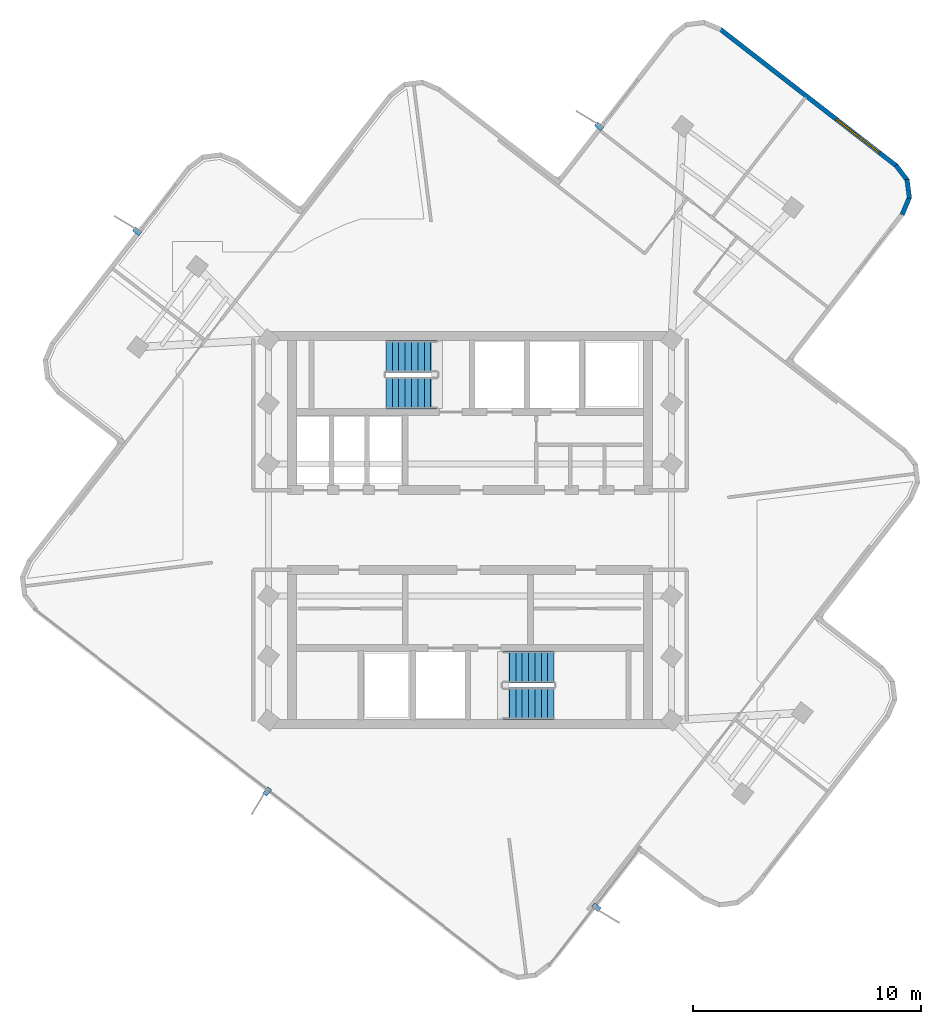
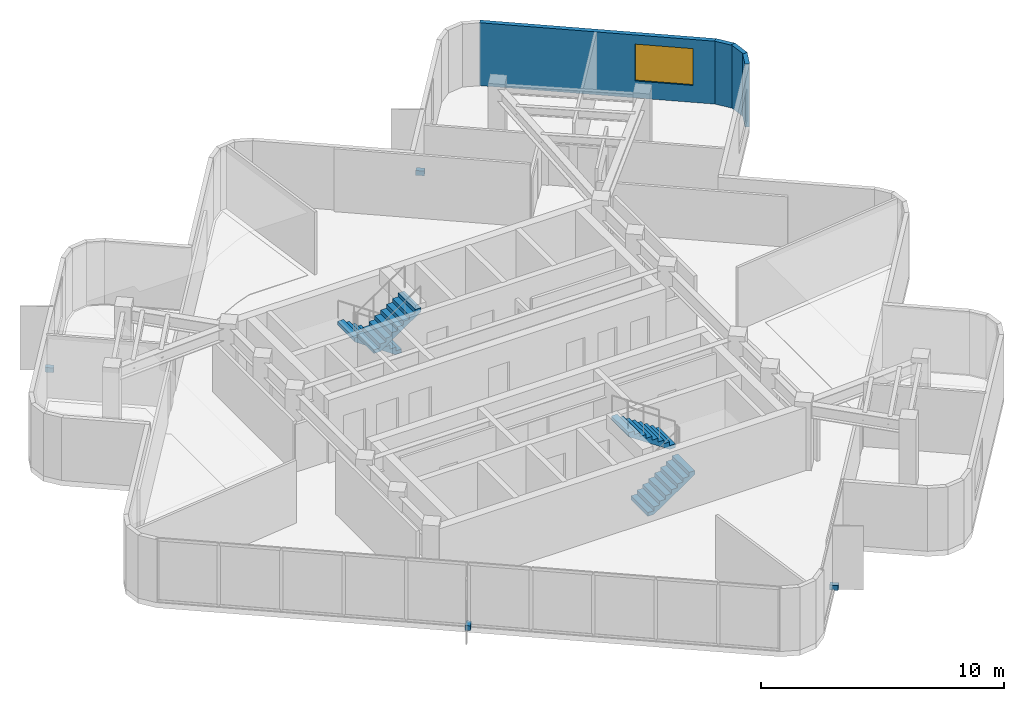
# One storey, part 8 of 10: 4 discrete accessories, 4 stair flights, 4 walls, 1 window, 1 opening, 2 elements without a shape of their own.
"""IFC4 building model written with IfcOpenShell, lengths in metres."""

from ifc_helpers import new_model, si_unit, direction, frame, frame_2d, origin, origin_2d, place, context, subcontext, project, spatial, polyline, rectangle, outline, extrude, material, layer, layer_set, type_object, element, fill, aggregate, save


model = new_model("IFC4")

# Units and contexts
model_context = context("Model", 3, precision=1e-05, world=origin(), true_north=direction((0.0, 1.0)))
body_context = subcontext(model_context, "Body", "Model", "MODEL_VIEW")
ifc_project = project(units=[si_unit("LENGTHUNIT", "METRE"), si_unit("AREAUNIT", "SQUARE_METRE"), si_unit("VOLUMEUNIT", "CUBIC_METRE"), si_unit("PLANEANGLEUNIT", "RADIAN"), si_unit("MASSUNIT", "GRAM", prefix="KILO")], contexts=[model_context])

# Site, building, storey
site_placement = place(None, origin())
site = spatial("IfcSite", under=ifc_project, at=site_placement, CompositionType="ELEMENT")
building_placement = place(site_placement, origin())
building = spatial("IfcBuilding", under=site, at=building_placement, Name="Solmarez Civic Tower", CompositionType="ELEMENT")
storey_placement = place(building_placement, frame((0.0, 0.0, 257.760009765625)))
storey = spatial("IfcBuildingStorey", under=building, at=storey_placement, Name="L69", CompositionType="ELEMENT", Elevation=257.760009765625)

# Wall, opening, window
ifc_material_1 = material(Name="Precast concrete C40/50", Category="concrete")
ifc_layer = layer(ifc_material_1, 0.199951171875)
ifc_layer_set = layer_set([ifc_layer], Name="Precast concrete C40/50")
wall_type = type_object("IfcWallType", Name="WALL-EXT-200", PredefinedType="SOLIDWALL", material=ifc_layer_set)
wall_1_placement = place(storey_placement, frame((10.968994140625, 21.991943359375, 0.0), z_axis=(0.0, 0.0, 1.0), x_axis=(0.790145127041, -0.612919797537, 0.0)))
wall_1 = element("IfcWall", 1, at=wall_1_placement, inside=storey, type_object=wall_type, Name="L69 Exterior Precast Wall 35", PredefinedType="SOLIDWALL", context=body_context, shape_type="SweptSolid", body=[
    extrude(rectangle(XDim=9.823486328125, YDim=0.199951171875, at=frame_2d((4.91162109375, 0.0))), origin(), (0.0, 0.0, 1.0), 3.159912109375),
])
opening_placement = place(wall_1_placement, frame((6.4619140625, 0.0, 0.85009765625)))
opening = element("IfcOpeningElement", 2, at=opening_placement, cuts=wall_1, Name="Opening W-06", PredefinedType="OPENING", context=body_context, shape_type="SweptSolid", body=[
    extrude(rectangle(XDim=2.39990234375, YDim=1.85009765625, at=frame_2d((1.199951171875, 0.925048828125))), frame((0.0, 0.10986328125, 0.0), z_axis=(0.0, -1.0, 0.0), x_axis=(1.0, 0.0, 0.0)), (0.0, 0.0, 1.0), 0.219970703125),
])
ifc_material_2 = material(Name="Solar Control Bronze-Tinted Insulating Glass", Category="glass")
window_type = type_object("IfcWindowType", Name="WIN-2400X1850", PartitioningType="SINGLE_PANEL", PredefinedType="WINDOW", material=ifc_material_2)
window_placement = place(opening_placement, origin())
window = element("IfcWindow", 3, at=window_placement, inside=storey, type_object=window_type, Name="L69 Exterior Facade Window 35", OverallHeight=1.85009765625, OverallWidth=2.39990234375, PartitioningType="SINGLE_PANEL", PredefinedType="WINDOW", context=body_context, shape_type="SweptSolid", body=[
    extrude(rectangle(XDim=2.39990234375, YDim=1.85009765625, at=frame_2d((1.199951171875, 0.925048828125))), frame((0.0, 0.030029296875, 0.0), z_axis=(0.0, -1.0, 0.0), x_axis=(1.0, 0.0, 0.0)), (0.0, 0.0, 1.0), 0.06005859375),
])
fill(opening, window)

# Walls
wall_2_placement = place(storey_placement, frame((18.696044921875, 16.006103515625, 0.0), z_axis=(0.0, 0.0, 1.0), x_axis=(0.604322767077, -0.796739601873, 0.0)))
element("IfcWall", 4, at=wall_2_placement, inside=storey, type_object=wall_type, Name="L69 Exterior Precast Wall 36", PredefinedType="SOLIDWALL", context=body_context, shape_type="SweptSolid", body=[
    extrude(rectangle(XDim=0.838623046875, YDim=0.199951171875, at=frame_2d((0.41943359375, 0.0))), origin(), (0.0, 0.0, 1.0), 3.159912109375),
])
wall_3_placement = place(storey_placement, frame((19.18505859375, 15.383056640625, 0.0), z_axis=(0.0, 0.0, 1.0), x_axis=(0.124945697241, -0.992163581644, 0.0)))
element("IfcWall", 5, at=wall_3_placement, inside=storey, type_object=wall_type, Name="L69 Exterior Precast Wall 37", PredefinedType="SOLIDWALL", context=body_context, shape_type="SweptSolid", body=[
    extrude(rectangle(XDim=0.824462890625, YDim=0.199951171875, at=frame_2d((0.412109375, 0.0))), origin(), (0.0, 0.0, 1.0), 3.159912109375),
])
wall_4_placement = place(storey_placement, frame((19.294921875, 14.613037109375, 0.0), z_axis=(0.0, 0.0, 1.0), x_axis=(-0.387549275101, -0.92184898946, 0.0)))
element("IfcWall", 6, at=wall_4_placement, inside=storey, type_object=wall_type, Name="L69 Exterior Precast Wall 38", PredefinedType="SOLIDWALL", context=body_context, shape_type="SweptSolid", body=[
    extrude(rectangle(XDim=0.83837890625, YDim=0.199951171875, at=frame_2d((0.419189453125, 0.0))), origin(), (0.0, 0.0, 1.0), 3.159912109375),
])

# Stair, stair flights
ifc_material_3 = material(Name="Concrete C50/60", Category="concrete")
stair_type = type_object("IfcStairType", Name="STAIR-DOGLEG-140W-18R-1900", PredefinedType="HALF_TURN_STAIR", material=ifc_material_3)
stair_1_placement = place(storey_placement, origin())
stair_1 = element("IfcStair", 7, at=stair_1_placement, inside=storey, type_object=stair_type, Name="L69 North Core Protected Exit Stair ST-1", PredefinedType="HALF_TURN_STAIR")
stair_flight_type = type_object("IfcStairFlightType", Name="FLIGHT-DOGLEG-140W-9R-1900", PredefinedType="STRAIGHT", material=ifc_material_3)
stair_flight_1_placement = place(storey_placement, frame((-1.449951171875, 7.6201171875, 0.0), z_axis=(0.0, 0.0, 1.0), x_axis=(-1.0, 0.0, 0.0)))
stair_flight_1 = element("IfcStairFlight", 8, at=stair_flight_1_placement, type_object=stair_flight_type, Name="ST-1 flight 1", NumberOfRisers=9, NumberOfTreads=8, PredefinedType="STRAIGHT", RiserHeight=0.19, TreadLength=0.28, context=body_context, shape_type="SweptSolid", body=[
    extrude(outline(polyline([(0.0, 0.0), (0.0, 0.18994140625), (0.280029296875, 0.18994140625), (0.280029296875, 0.3798828125), (0.56005859375, 0.3798828125), (0.56005859375, 0.570068359375), (0.840087890625, 0.570068359375), (0.840087890625, 0.760009765625), (1.1201171875, 0.760009765625), (1.1201171875, 0.949951171875), (1.39990234375, 0.949951171875), (1.39990234375, 1.139892578125), (1.679931640625, 1.139892578125), (1.679931640625, 1.330078125), (1.9599609375, 1.330078125), (1.9599609375, 1.52001953125), (2.239990234375, 1.52001953125), (2.239990234375, 1.7099609375), (2.239990234375, 1.32666015625), (0.284912109375, 0.0), (0.0, 0.0)])), frame((0.0, 0.699951171875, 0.0), z_axis=(0.0, -1.0, 0.0), x_axis=(1.0, 0.0, 0.0)), (0.0, 0.0, 1.0), 1.39990234375),
])
stair_flight_2_placement = place(storey_placement, frame((-3.68994140625, 6.02001953125, 1.7099609375), z_axis=(0.0, 0.0, 1.0), x_axis=(1.0, 0.0, 0.0)))
stair_flight_2 = element("IfcStairFlight", 9, at=stair_flight_2_placement, type_object=stair_flight_type, Name="ST-1 flight 2", NumberOfRisers=9, NumberOfTreads=8, PredefinedType="STRAIGHT", RiserHeight=0.19, TreadLength=0.28, context=body_context, shape_type="SweptSolid", body=[
    extrude(outline(polyline([(0.0, 0.0), (0.0, 0.18994140625), (0.280029296875, 0.18994140625), (0.280029296875, 0.3798828125), (0.56005859375, 0.3798828125), (0.56005859375, 0.570068359375), (0.840087890625, 0.570068359375), (0.840087890625, 0.760009765625), (1.1201171875, 0.760009765625), (1.1201171875, 0.949951171875), (1.39990234375, 0.949951171875), (1.39990234375, 1.139892578125), (1.679931640625, 1.139892578125), (1.679931640625, 1.330078125), (1.9599609375, 1.330078125), (1.9599609375, 1.52001953125), (2.239990234375, 1.52001953125), (2.239990234375, 1.7099609375), (2.239990234375, 1.32666015625), (0.284912109375, 0.0), (0.0, 0.0)])), frame((0.0, 0.699951171875, 0.0), z_axis=(0.0, -1.0, 0.0), x_axis=(1.0, 0.0, 0.0)), (0.0, 0.0, 1.0), 1.39990234375),
])
aggregate(stair_1, [stair_flight_1, stair_flight_2])

stair_2_placement = place(storey_placement, origin())
stair_2 = element("IfcStair", 10, at=stair_2_placement, inside=storey, type_object=stair_type, Name="L69 South Core Protected Exit Stair ST-2", PredefinedType="HALF_TURN_STAIR")
stair_flight_3_placement = place(storey_placement, frame((1.449951171875, -7.6201171875, 0.0), z_axis=(0.0, 0.0, 1.0), x_axis=(1.0, 0.0, 0.0)))
stair_flight_3 = element("IfcStairFlight", 11, at=stair_flight_3_placement, type_object=stair_flight_type, Name="ST-2 flight 1", NumberOfRisers=9, NumberOfTreads=8, PredefinedType="STRAIGHT", RiserHeight=0.19, TreadLength=0.28, context=body_context, shape_type="SweptSolid", body=[
    extrude(outline(polyline([(0.0, 0.0), (0.0, 0.18994140625), (0.280029296875, 0.18994140625), (0.280029296875, 0.3798828125), (0.56005859375, 0.3798828125), (0.56005859375, 0.570068359375), (0.840087890625, 0.570068359375), (0.840087890625, 0.760009765625), (1.1201171875, 0.760009765625), (1.1201171875, 0.949951171875), (1.39990234375, 0.949951171875), (1.39990234375, 1.139892578125), (1.679931640625, 1.139892578125), (1.679931640625, 1.330078125), (1.9599609375, 1.330078125), (1.9599609375, 1.52001953125), (2.239990234375, 1.52001953125), (2.239990234375, 1.7099609375), (2.239990234375, 1.32666015625), (0.284912109375, 0.0), (0.0, 0.0)])), frame((0.0, 0.699951171875, 0.0), z_axis=(0.0, -1.0, 0.0), x_axis=(1.0, 0.0, 0.0)), (0.0, 0.0, 1.0), 1.39990234375),
])
stair_flight_4_placement = place(storey_placement, frame((3.68994140625, -6.02001953125, 1.7099609375), z_axis=(0.0, 0.0, 1.0), x_axis=(-1.0, 0.0, 0.0)))
stair_flight_4 = element("IfcStairFlight", 12, at=stair_flight_4_placement, type_object=stair_flight_type, Name="ST-2 flight 2", NumberOfRisers=9, NumberOfTreads=8, PredefinedType="STRAIGHT", RiserHeight=0.19, TreadLength=0.28, context=body_context, shape_type="SweptSolid", body=[
    extrude(outline(polyline([(0.0, 0.0), (0.0, 0.18994140625), (0.280029296875, 0.18994140625), (0.280029296875, 0.3798828125), (0.56005859375, 0.3798828125), (0.56005859375, 0.570068359375), (0.840087890625, 0.570068359375), (0.840087890625, 0.760009765625), (1.1201171875, 0.760009765625), (1.1201171875, 0.949951171875), (1.39990234375, 0.949951171875), (1.39990234375, 1.139892578125), (1.679931640625, 1.139892578125), (1.679931640625, 1.330078125), (1.9599609375, 1.330078125), (1.9599609375, 1.52001953125), (2.239990234375, 1.52001953125), (2.239990234375, 1.7099609375), (2.239990234375, 1.32666015625), (0.284912109375, 0.0), (0.0, 0.0)])), frame((0.0, 0.699951171875, 0.0), z_axis=(0.0, -1.0, 0.0), x_axis=(1.0, 0.0, 0.0)), (0.0, 0.0, 1.0), 1.39990234375),
])
aggregate(stair_2, [stair_flight_3, stair_flight_4])

# Discrete accessories
ifc_material_4 = material(Name="Stainless Steel Grade 1.4401", Category="steel")
discrete_accessory_type = type_object("IfcDiscreteAccessoryType", Name="BRACKET-SS-FIN", PredefinedType="BRACKET", material=ifc_material_4)
for number, where, z_axis, x_axis, name in (
    (13, (5.5419921875, -16.56396484375, -0.06005859375), (0.0, 0.0, 1.0), (0.790162987213, -0.612896772417, 0.0), "L69 Stainless Fin Support Bracket FIN-L69-01"),
    (14, (-8.906005859375, -11.48095703125, -0.06005859375), (0.0, 0.0, 1.0), (-0.612888531204, -0.790169379512, 0.0), "L69 Stainless Fin Support Bracket FIN-L69-02"),
    (15, (-14.613037109375, 13.10693359375, -0.06005859375), (0.0, 0.0, 1.0), (-0.79018339727, 0.612870458318, 0.0), "L69 Stainless Fin Support Bracket FIN-L69-03"),
    (16, (5.666015625, 17.712890625, -0.06005859375), (0.0, 0.0, 1.0), (-0.790132353453, 0.612936264245, 0.0), "L69 Stainless Fin Support Bracket FIN-L69-04"),
):
    element("IfcDiscreteAccessory", number, at=place(storey_placement, frame(where, z_axis=z_axis, x_axis=x_axis)), inside=storey, type_object=discrete_accessory_type, Name=name, PredefinedType="BRACKET", context=body_context, shape_type="SweptSolid", body=[
        extrude(rectangle(XDim=0.360107421875, YDim=0.219970703125, at=origin_2d()), origin(), (0.0, 0.0, 1.0), 0.239990234375),
    ])

save(model, "model.ifc")
